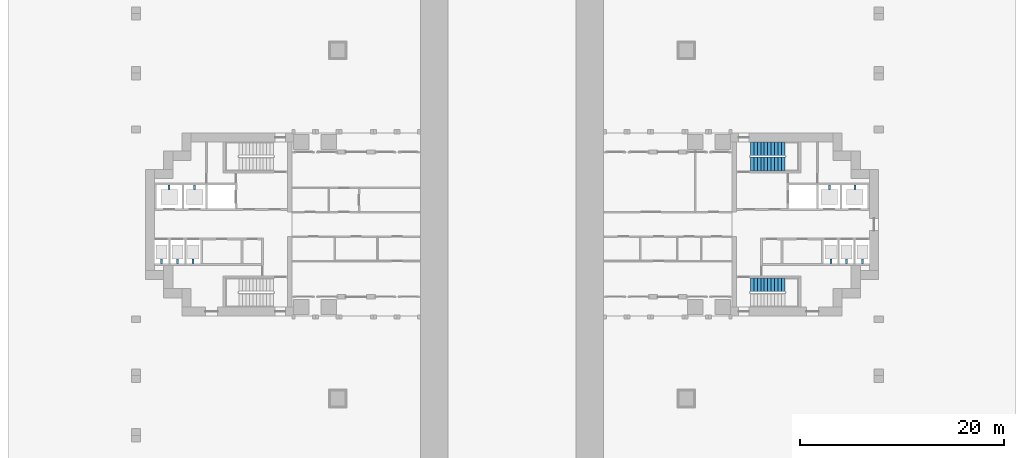
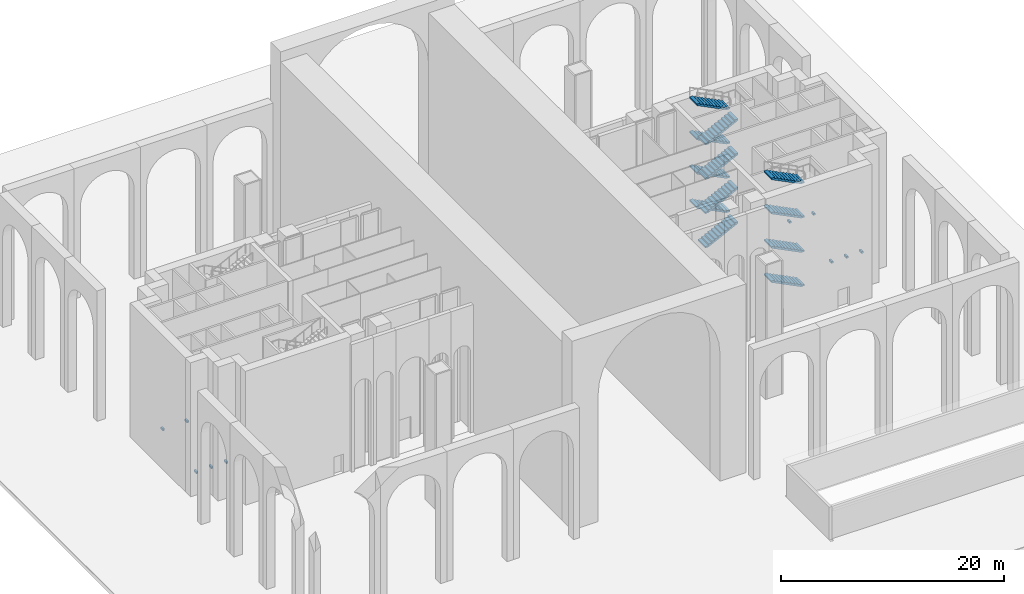
# One storey, part 11 of 18: 12 stair flights, 10 discrete accessories, 2 elements without a shape of their own.
"""IFC4 building model written with IfcOpenShell, lengths in metres."""

from ifc_helpers import new_model, si_unit, direction, frame, origin, origin_2d, place, context, subcontext, project, spatial, polyline, rectangle, outline, extrude, material, type_object, element, aggregate, save


model = new_model("IFC4")

# Units and contexts
model_context = context("Model", 3, precision=1e-05, world=origin(), true_north=direction((0.0, 1.0)))
body_context = subcontext(model_context, "Body", "Model", "MODEL_VIEW")
ifc_project = project(units=[si_unit("LENGTHUNIT", "METRE"), si_unit("AREAUNIT", "SQUARE_METRE"), si_unit("VOLUMEUNIT", "CUBIC_METRE"), si_unit("PLANEANGLEUNIT", "RADIAN"), si_unit("MASSUNIT", "GRAM", prefix="KILO")], contexts=[model_context])

# Site, building, storey
site_placement = place(None, origin())
site = spatial("IfcSite", under=ifc_project, at=site_placement, CompositionType="ELEMENT")
building_placement = place(site_placement, origin())
building = spatial("IfcBuilding", under=site, at=building_placement, Name="Perihelion Cross Residences", CompositionType="ELEMENT")
storey_placement = place(building_placement, origin())
storey = spatial("IfcBuildingStorey", under=building, at=storey_placement, Name="L00", CompositionType="ELEMENT", Elevation=0.0)

# Stair, stair flights
ifc_material_1 = material(Name="Concrete C40/50", Category="concrete")
stair_type = type_object("IfcStairType", Name="Exit stair, half-turn", PredefinedType="HALF_TURN_STAIR", material=ifc_material_1)
stair_1_placement = place(storey_placement, origin())
stair_1 = element("IfcStair", 1, at=stair_1_placement, inside=storey, type_object=stair_type, Name="L00 East core exit stair 1", PredefinedType="HALF_TURN_STAIR")
ifc_material_2 = material(Name="Concrete C40/50", Category="concrete")
stair_flight_type = type_object("IfcStairFlightType", Name="Exit stair flight", PredefinedType="STRAIGHT", material=ifc_material_2)
stair_flight_1_placement = place(storey_placement, frame((23.39990234375, 5.925048828125, 0.0), z_axis=(0.0, 0.0, 1.0), x_axis=(1.0, 0.0, 0.0)))
stair_flight_1 = element("IfcStairFlight", 2, at=stair_flight_1_placement, type_object=stair_flight_type, Name="ST-E1 flight 1", NumberOfRisers=11, NumberOfTreads=10, PredefinedType="STRAIGHT", RiserHeight=0.170454545, TreadLength=0.34, context=body_context, shape_type="SweptSolid", body=[
    extrude(outline(polyline([(0.0, 0.0), (0.0, 0.17041015625), (0.340087890625, 0.17041015625), (0.340087890625, 0.3408203125), (0.679931640625, 0.3408203125), (0.679931640625, 0.511474609375), (1.02001953125, 0.511474609375), (1.02001953125, 0.681884765625), (1.360107421875, 0.681884765625), (1.360107421875, 0.852294921875), (1.699951171875, 0.852294921875), (1.699951171875, 1.022705078125), (2.0400390625, 1.022705078125), (2.0400390625, 1.193115234375), (2.3798828125, 1.193115234375), (2.3798828125, 1.363525390625), (2.719970703125, 1.363525390625), (2.719970703125, 1.5341796875), (3.06005859375, 1.5341796875), (3.06005859375, 1.70458984375), (3.39990234375, 1.70458984375), (3.39990234375, 1.875), (3.39990234375, 1.536865234375), (0.33447265625, 0.0), (0.0, 0.0)])), frame((0.0, 0.675048828125, 0.0), z_axis=(0.0, -1.0, 0.0), x_axis=(1.0, 0.0, 0.0)), (0.0, 0.0, 1.0), 1.35009765625),
])
stair_flight_2_placement = place(storey_placement, frame((26.800048828125, 7.425048828125, 1.875), z_axis=(0.0, 0.0, 1.0), x_axis=(-1.0, 0.0, 0.0)))
stair_flight_2 = element("IfcStairFlight", 3, at=stair_flight_2_placement, type_object=stair_flight_type, Name="ST-E1 flight 2", NumberOfRisers=11, NumberOfTreads=10, PredefinedType="STRAIGHT", RiserHeight=0.170454545, TreadLength=0.34, context=body_context, shape_type="SweptSolid", body=[
    extrude(outline(polyline([(0.0, 0.0), (0.0, 0.17041015625), (0.340087890625, 0.17041015625), (0.340087890625, 0.3408203125), (0.679931640625, 0.3408203125), (0.679931640625, 0.511474609375), (1.02001953125, 0.511474609375), (1.02001953125, 0.681884765625), (1.360107421875, 0.681884765625), (1.360107421875, 0.852294921875), (1.699951171875, 0.852294921875), (1.699951171875, 1.022705078125), (2.0400390625, 1.022705078125), (2.0400390625, 1.193115234375), (2.3798828125, 1.193115234375), (2.3798828125, 1.363525390625), (2.719970703125, 1.363525390625), (2.719970703125, 1.5341796875), (3.06005859375, 1.5341796875), (3.06005859375, 1.70458984375), (3.39990234375, 1.70458984375), (3.39990234375, 1.875), (3.39990234375, 1.536865234375), (0.33447265625, 0.0), (0.0, 0.0)])), frame((0.0, 0.675048828125, 0.0), z_axis=(0.0, -1.0, 0.0), x_axis=(1.0, 0.0, 0.0)), (0.0, 0.0, 1.0), 1.35009765625),
])
stair_flight_3_placement = place(storey_placement, frame((23.39990234375, 5.925048828125, 3.75), z_axis=(0.0, 0.0, 1.0), x_axis=(1.0, 0.0, 0.0)))
stair_flight_3 = element("IfcStairFlight", 4, at=stair_flight_3_placement, type_object=stair_flight_type, Name="ST-E1 flight 3", NumberOfRisers=11, NumberOfTreads=10, PredefinedType="STRAIGHT", RiserHeight=0.170454545, TreadLength=0.34, context=body_context, shape_type="SweptSolid", body=[
    extrude(outline(polyline([(0.0, 0.0), (0.0, 0.17041015625), (0.340087890625, 0.17041015625), (0.340087890625, 0.3408203125), (0.679931640625, 0.3408203125), (0.679931640625, 0.511474609375), (1.02001953125, 0.511474609375), (1.02001953125, 0.681884765625), (1.360107421875, 0.681884765625), (1.360107421875, 0.852294921875), (1.699951171875, 0.852294921875), (1.699951171875, 1.022705078125), (2.0400390625, 1.022705078125), (2.0400390625, 1.193115234375), (2.3798828125, 1.193115234375), (2.3798828125, 1.363525390625), (2.719970703125, 1.363525390625), (2.719970703125, 1.5341796875), (3.06005859375, 1.5341796875), (3.06005859375, 1.70458984375), (3.39990234375, 1.70458984375), (3.39990234375, 1.875), (3.39990234375, 1.536865234375), (0.33447265625, 0.0), (0.0, 0.0)])), frame((0.0, 0.675048828125, 0.0), z_axis=(0.0, -1.0, 0.0), x_axis=(1.0, 0.0, 0.0)), (0.0, 0.0, 1.0), 1.35009765625),
])
stair_flight_4_placement = place(storey_placement, frame((26.800048828125, 7.425048828125, 5.625), z_axis=(0.0, 0.0, 1.0), x_axis=(-1.0, 0.0, 0.0)))
stair_flight_4 = element("IfcStairFlight", 5, at=stair_flight_4_placement, type_object=stair_flight_type, Name="ST-E1 flight 4", NumberOfRisers=11, NumberOfTreads=10, PredefinedType="STRAIGHT", RiserHeight=0.170454545, TreadLength=0.34, context=body_context, shape_type="SweptSolid", body=[
    extrude(outline(polyline([(0.0, 0.0), (0.0, 0.17041015625), (0.340087890625, 0.17041015625), (0.340087890625, 0.3408203125), (0.679931640625, 0.3408203125), (0.679931640625, 0.511474609375), (1.02001953125, 0.511474609375), (1.02001953125, 0.681884765625), (1.360107421875, 0.681884765625), (1.360107421875, 0.852294921875), (1.699951171875, 0.852294921875), (1.699951171875, 1.022705078125), (2.0400390625, 1.022705078125), (2.0400390625, 1.193115234375), (2.3798828125, 1.193115234375), (2.3798828125, 1.363525390625), (2.719970703125, 1.363525390625), (2.719970703125, 1.5341796875), (3.06005859375, 1.5341796875), (3.06005859375, 1.70458984375), (3.39990234375, 1.70458984375), (3.39990234375, 1.875), (3.39990234375, 1.536865234375), (0.33447265625, 0.0), (0.0, 0.0)])), frame((0.0, 0.675048828125, 0.0), z_axis=(0.0, -1.0, 0.0), x_axis=(1.0, 0.0, 0.0)), (0.0, 0.0, 1.0), 1.35009765625),
])
stair_flight_5_placement = place(storey_placement, frame((23.39990234375, 5.925048828125, 7.5), z_axis=(0.0, 0.0, 1.0), x_axis=(1.0, 0.0, 0.0)))
stair_flight_5 = element("IfcStairFlight", 6, at=stair_flight_5_placement, type_object=stair_flight_type, Name="ST-E1 flight 5", NumberOfRisers=11, NumberOfTreads=10, PredefinedType="STRAIGHT", RiserHeight=0.170454545, TreadLength=0.34, context=body_context, shape_type="SweptSolid", body=[
    extrude(outline(polyline([(0.0, 0.0), (0.0, 0.17041015625), (0.340087890625, 0.17041015625), (0.340087890625, 0.3408203125), (0.679931640625, 0.3408203125), (0.679931640625, 0.511474609375), (1.02001953125, 0.511474609375), (1.02001953125, 0.681884765625), (1.360107421875, 0.681884765625), (1.360107421875, 0.852294921875), (1.699951171875, 0.852294921875), (1.699951171875, 1.022705078125), (2.0400390625, 1.022705078125), (2.0400390625, 1.193115234375), (2.3798828125, 1.193115234375), (2.3798828125, 1.363525390625), (2.719970703125, 1.363525390625), (2.719970703125, 1.5341796875), (3.06005859375, 1.5341796875), (3.06005859375, 1.70458984375), (3.39990234375, 1.70458984375), (3.39990234375, 1.875), (3.39990234375, 1.536865234375), (0.33447265625, 0.0), (0.0, 0.0)])), frame((0.0, 0.675048828125, 0.0), z_axis=(0.0, -1.0, 0.0), x_axis=(1.0, 0.0, 0.0)), (0.0, 0.0, 1.0), 1.35009765625),
])
stair_flight_6_placement = place(storey_placement, frame((26.800048828125, 7.425048828125, 9.375), z_axis=(0.0, 0.0, 1.0), x_axis=(-1.0, 0.0, 0.0)))
stair_flight_6 = element("IfcStairFlight", 7, at=stair_flight_6_placement, type_object=stair_flight_type, Name="ST-E1 flight 6", NumberOfRisers=11, NumberOfTreads=10, PredefinedType="STRAIGHT", RiserHeight=0.170454545, TreadLength=0.34, context=body_context, shape_type="SweptSolid", body=[
    extrude(outline(polyline([(0.0, 0.0), (0.0, 0.17041015625), (0.340087890625, 0.17041015625), (0.340087890625, 0.3408203125), (0.679931640625, 0.3408203125), (0.679931640625, 0.511474609375), (1.02001953125, 0.511474609375), (1.02001953125, 0.681884765625), (1.360107421875, 0.681884765625), (1.360107421875, 0.852294921875), (1.699951171875, 0.852294921875), (1.699951171875, 1.022705078125), (2.0400390625, 1.022705078125), (2.0400390625, 1.193115234375), (2.3798828125, 1.193115234375), (2.3798828125, 1.363525390625), (2.719970703125, 1.363525390625), (2.719970703125, 1.5341796875), (3.06005859375, 1.5341796875), (3.06005859375, 1.70458984375), (3.39990234375, 1.70458984375), (3.39990234375, 1.875), (3.39990234375, 1.536865234375), (0.33447265625, 0.0), (0.0, 0.0)])), frame((0.0, 0.675048828125, 0.0), z_axis=(0.0, -1.0, 0.0), x_axis=(1.0, 0.0, 0.0)), (0.0, 0.0, 1.0), 1.35009765625),
])
stair_flight_7_placement = place(storey_placement, frame((23.39990234375, 5.925048828125, 11.25), z_axis=(0.0, 0.0, 1.0), x_axis=(1.0, 0.0, 0.0)))
stair_flight_7 = element("IfcStairFlight", 8, at=stair_flight_7_placement, type_object=stair_flight_type, Name="ST-E1 flight 7", NumberOfRisers=11, NumberOfTreads=10, PredefinedType="STRAIGHT", RiserHeight=0.170454545, TreadLength=0.34, context=body_context, shape_type="SweptSolid", body=[
    extrude(outline(polyline([(0.0, 0.0), (0.0, 0.17041015625), (0.340087890625, 0.17041015625), (0.340087890625, 0.3408203125), (0.679931640625, 0.3408203125), (0.679931640625, 0.511474609375), (1.02001953125, 0.511474609375), (1.02001953125, 0.681884765625), (1.360107421875, 0.681884765625), (1.360107421875, 0.852294921875), (1.699951171875, 0.852294921875), (1.699951171875, 1.022705078125), (2.0400390625, 1.022705078125), (2.0400390625, 1.193115234375), (2.3798828125, 1.193115234375), (2.3798828125, 1.363525390625), (2.719970703125, 1.363525390625), (2.719970703125, 1.5341796875), (3.06005859375, 1.5341796875), (3.06005859375, 1.70458984375), (3.39990234375, 1.70458984375), (3.39990234375, 1.875), (3.39990234375, 1.536865234375), (0.33447265625, 0.0), (0.0, 0.0)])), frame((0.0, 0.675048828125, 0.0), z_axis=(0.0, -1.0, 0.0), x_axis=(1.0, 0.0, 0.0)), (0.0, 0.0, 1.0), 1.35009765625),
])
stair_flight_8_placement = place(storey_placement, frame((26.800048828125, 7.425048828125, 13.125), z_axis=(0.0, 0.0, 1.0), x_axis=(-1.0, 0.0, 0.0)))
stair_flight_8 = element("IfcStairFlight", 9, at=stair_flight_8_placement, type_object=stair_flight_type, Name="ST-E1 flight 8", NumberOfRisers=11, NumberOfTreads=10, PredefinedType="STRAIGHT", RiserHeight=0.170454545, TreadLength=0.34, context=body_context, shape_type="SweptSolid", body=[
    extrude(outline(polyline([(0.0, 0.0), (0.0, 0.17041015625), (0.340087890625, 0.17041015625), (0.340087890625, 0.3408203125), (0.679931640625, 0.3408203125), (0.679931640625, 0.511474609375), (1.02001953125, 0.511474609375), (1.02001953125, 0.681884765625), (1.360107421875, 0.681884765625), (1.360107421875, 0.852294921875), (1.699951171875, 0.852294921875), (1.699951171875, 1.022705078125), (2.0400390625, 1.022705078125), (2.0400390625, 1.193115234375), (2.3798828125, 1.193115234375), (2.3798828125, 1.363525390625), (2.719970703125, 1.363525390625), (2.719970703125, 1.5341796875), (3.06005859375, 1.5341796875), (3.06005859375, 1.70458984375), (3.39990234375, 1.70458984375), (3.39990234375, 1.875), (3.39990234375, 1.536865234375), (0.33447265625, 0.0), (0.0, 0.0)])), frame((0.0, 0.675048828125, 0.0), z_axis=(0.0, -1.0, 0.0), x_axis=(1.0, 0.0, 0.0)), (0.0, 0.0, 1.0), 1.35009765625),
])
aggregate(stair_1, [stair_flight_1, stair_flight_2, stair_flight_3, stair_flight_4, stair_flight_5, stair_flight_6, stair_flight_7, stair_flight_8])

stair_2_placement = place(storey_placement, origin())
stair_2 = element("IfcStair", 10, at=stair_2_placement, inside=storey, type_object=stair_type, Name="L00 East core exit stair 2", PredefinedType="HALF_TURN_STAIR")
stair_flight_9_placement = place(storey_placement, frame((26.800048828125, -5.925048828125, 1.875), z_axis=(0.0, 0.0, 1.0), x_axis=(-1.0, 0.0, 0.0)))
stair_flight_9 = element("IfcStairFlight", 11, at=stair_flight_9_placement, type_object=stair_flight_type, Name="ST-E2 flight 2", NumberOfRisers=11, NumberOfTreads=10, PredefinedType="STRAIGHT", RiserHeight=0.170454545, TreadLength=0.34, context=body_context, shape_type="SweptSolid", body=[
    extrude(outline(polyline([(0.0, 0.0), (0.0, 0.17041015625), (0.340087890625, 0.17041015625), (0.340087890625, 0.3408203125), (0.679931640625, 0.3408203125), (0.679931640625, 0.511474609375), (1.02001953125, 0.511474609375), (1.02001953125, 0.681884765625), (1.360107421875, 0.681884765625), (1.360107421875, 0.852294921875), (1.699951171875, 0.852294921875), (1.699951171875, 1.022705078125), (2.0400390625, 1.022705078125), (2.0400390625, 1.193115234375), (2.3798828125, 1.193115234375), (2.3798828125, 1.363525390625), (2.719970703125, 1.363525390625), (2.719970703125, 1.5341796875), (3.06005859375, 1.5341796875), (3.06005859375, 1.70458984375), (3.39990234375, 1.70458984375), (3.39990234375, 1.875), (3.39990234375, 1.536865234375), (0.33447265625, 0.0), (0.0, 0.0)])), frame((0.0, 0.675048828125, 0.0), z_axis=(0.0, -1.0, 0.0), x_axis=(1.0, 0.0, 0.0)), (0.0, 0.0, 1.0), 1.35009765625),
])
stair_flight_10_placement = place(storey_placement, frame((26.800048828125, -5.925048828125, 5.625), z_axis=(0.0, 0.0, 1.0), x_axis=(-1.0, 0.0, 0.0)))
stair_flight_10 = element("IfcStairFlight", 12, at=stair_flight_10_placement, type_object=stair_flight_type, Name="ST-E2 flight 4", NumberOfRisers=11, NumberOfTreads=10, PredefinedType="STRAIGHT", RiserHeight=0.170454545, TreadLength=0.34, context=body_context, shape_type="SweptSolid", body=[
    extrude(outline(polyline([(0.0, 0.0), (0.0, 0.17041015625), (0.340087890625, 0.17041015625), (0.340087890625, 0.3408203125), (0.679931640625, 0.3408203125), (0.679931640625, 0.511474609375), (1.02001953125, 0.511474609375), (1.02001953125, 0.681884765625), (1.360107421875, 0.681884765625), (1.360107421875, 0.852294921875), (1.699951171875, 0.852294921875), (1.699951171875, 1.022705078125), (2.0400390625, 1.022705078125), (2.0400390625, 1.193115234375), (2.3798828125, 1.193115234375), (2.3798828125, 1.363525390625), (2.719970703125, 1.363525390625), (2.719970703125, 1.5341796875), (3.06005859375, 1.5341796875), (3.06005859375, 1.70458984375), (3.39990234375, 1.70458984375), (3.39990234375, 1.875), (3.39990234375, 1.536865234375), (0.33447265625, 0.0), (0.0, 0.0)])), frame((0.0, 0.675048828125, 0.0), z_axis=(0.0, -1.0, 0.0), x_axis=(1.0, 0.0, 0.0)), (0.0, 0.0, 1.0), 1.35009765625),
])
stair_flight_11_placement = place(storey_placement, frame((26.800048828125, -5.925048828125, 9.375), z_axis=(0.0, 0.0, 1.0), x_axis=(-1.0, 0.0, 0.0)))
stair_flight_11 = element("IfcStairFlight", 13, at=stair_flight_11_placement, type_object=stair_flight_type, Name="ST-E2 flight 6", NumberOfRisers=11, NumberOfTreads=10, PredefinedType="STRAIGHT", RiserHeight=0.170454545, TreadLength=0.34, context=body_context, shape_type="SweptSolid", body=[
    extrude(outline(polyline([(0.0, 0.0), (0.0, 0.17041015625), (0.340087890625, 0.17041015625), (0.340087890625, 0.3408203125), (0.679931640625, 0.3408203125), (0.679931640625, 0.511474609375), (1.02001953125, 0.511474609375), (1.02001953125, 0.681884765625), (1.360107421875, 0.681884765625), (1.360107421875, 0.852294921875), (1.699951171875, 0.852294921875), (1.699951171875, 1.022705078125), (2.0400390625, 1.022705078125), (2.0400390625, 1.193115234375), (2.3798828125, 1.193115234375), (2.3798828125, 1.363525390625), (2.719970703125, 1.363525390625), (2.719970703125, 1.5341796875), (3.06005859375, 1.5341796875), (3.06005859375, 1.70458984375), (3.39990234375, 1.70458984375), (3.39990234375, 1.875), (3.39990234375, 1.536865234375), (0.33447265625, 0.0), (0.0, 0.0)])), frame((0.0, 0.675048828125, 0.0), z_axis=(0.0, -1.0, 0.0), x_axis=(1.0, 0.0, 0.0)), (0.0, 0.0, 1.0), 1.35009765625),
])
stair_flight_12_placement = place(storey_placement, frame((26.800048828125, -5.925048828125, 13.125), z_axis=(0.0, 0.0, 1.0), x_axis=(-1.0, 0.0, 0.0)))
stair_flight_12 = element("IfcStairFlight", 14, at=stair_flight_12_placement, type_object=stair_flight_type, Name="ST-E2 flight 8", NumberOfRisers=11, NumberOfTreads=10, PredefinedType="STRAIGHT", RiserHeight=0.170454545, TreadLength=0.34, context=body_context, shape_type="SweptSolid", body=[
    extrude(outline(polyline([(0.0, 0.0), (0.0, 0.17041015625), (0.340087890625, 0.17041015625), (0.340087890625, 0.3408203125), (0.679931640625, 0.3408203125), (0.679931640625, 0.511474609375), (1.02001953125, 0.511474609375), (1.02001953125, 0.681884765625), (1.360107421875, 0.681884765625), (1.360107421875, 0.852294921875), (1.699951171875, 0.852294921875), (1.699951171875, 1.022705078125), (2.0400390625, 1.022705078125), (2.0400390625, 1.193115234375), (2.3798828125, 1.193115234375), (2.3798828125, 1.363525390625), (2.719970703125, 1.363525390625), (2.719970703125, 1.5341796875), (3.06005859375, 1.5341796875), (3.06005859375, 1.70458984375), (3.39990234375, 1.70458984375), (3.39990234375, 1.875), (3.39990234375, 1.536865234375), (0.33447265625, 0.0), (0.0, 0.0)])), frame((0.0, 0.675048828125, 0.0), z_axis=(0.0, -1.0, 0.0), x_axis=(1.0, 0.0, 0.0)), (0.0, 0.0, 1.0), 1.35009765625),
])
aggregate(stair_2, [stair_flight_9, stair_flight_10, stair_flight_11, stair_flight_12])

# Discrete accessories
ifc_material_3 = material(Name="Steel, powder coated", Category="steel")
discrete_accessory_type = type_object("IfcDiscreteAccessoryType", Name="Lift guide bracket", PredefinedType="BRACKET", material=ifc_material_3)
for number, where, z_axis, x_axis, name in (
    (15, (31.300048828125, -3.625, 1.10009765625), (0.0, 0.0, 1.0), (1.0, 0.0, 0.0), "East core lp1 guide bracket"),
    (16, (32.85009765625, -3.625, 1.10009765625), (0.0, 0.0, 1.0), (1.0, 0.0, 0.0), "East core lp2 guide bracket"),
    (17, (34.39990234375, -3.625, 1.10009765625), (0.0, 0.0, 1.0), (1.0, 0.0, 0.0), "East core lp3 guide bracket"),
):
    element("IfcDiscreteAccessory", number, at=place(storey_placement, frame(where, z_axis=z_axis, x_axis=x_axis)), inside=storey, type_object=discrete_accessory_type, Name=name, PredefinedType="BRACKET", context=body_context, shape_type="SweptSolid", body=[
        extrude(rectangle(XDim=0.199951171875, YDim=0.449951171875, at=origin_2d()), origin(), (0.0, 0.0, 1.0), 0.199951171875),
    ])
for number, where, z_axis, x_axis, name in (
    (18, (31.14990234375, 3.64990234375, 1.10009765625), (0.0, 0.0, 1.0), (1.0, 0.0, 0.0), "East core sh1 guide bracket"),
    (19, (33.64990234375, 3.64990234375, 1.10009765625), (0.0, 0.0, 1.0), (1.0, 0.0, 0.0), "East core sh2 guide bracket"),
):
    element("IfcDiscreteAccessory", number, at=place(storey_placement, frame(where, z_axis=z_axis, x_axis=x_axis)), inside=storey, type_object=discrete_accessory_type, Name=name, PredefinedType="BRACKET", context=body_context, shape_type="SweptSolid", body=[
        extrude(rectangle(XDim=0.199951171875, YDim=0.39990234375, at=origin_2d()), origin(), (0.0, 0.0, 1.0), 0.199951171875),
    ])
for number, where, z_axis, x_axis, name in (
    (20, (-31.300048828125, -3.625, 1.10009765625), (0.0, 0.0, 1.0), (1.0, 0.0, 0.0), "West core lp1 guide bracket"),
    (21, (-32.85009765625, -3.625, 1.10009765625), (0.0, 0.0, 1.0), (1.0, 0.0, 0.0), "West core lp2 guide bracket"),
    (22, (-34.39990234375, -3.625, 1.10009765625), (0.0, 0.0, 1.0), (1.0, 0.0, 0.0), "West core lp3 guide bracket"),
):
    element("IfcDiscreteAccessory", number, at=place(storey_placement, frame(where, z_axis=z_axis, x_axis=x_axis)), inside=storey, type_object=discrete_accessory_type, Name=name, PredefinedType="BRACKET", context=body_context, shape_type="SweptSolid", body=[
        extrude(rectangle(XDim=0.199951171875, YDim=0.449951171875, at=origin_2d()), origin(), (0.0, 0.0, 1.0), 0.199951171875),
    ])
for number, where, z_axis, x_axis, name in (
    (23, (-31.14990234375, 3.64990234375, 1.10009765625), (0.0, 0.0, 1.0), (1.0, 0.0, 0.0), "West core sh1 guide bracket"),
    (24, (-33.64990234375, 3.64990234375, 1.10009765625), (0.0, 0.0, 1.0), (1.0, 0.0, 0.0), "West core sh2 guide bracket"),
):
    element("IfcDiscreteAccessory", number, at=place(storey_placement, frame(where, z_axis=z_axis, x_axis=x_axis)), inside=storey, type_object=discrete_accessory_type, Name=name, PredefinedType="BRACKET", context=body_context, shape_type="SweptSolid", body=[
        extrude(rectangle(XDim=0.199951171875, YDim=0.39990234375, at=origin_2d()), origin(), (0.0, 0.0, 1.0), 0.199951171875),
    ])

save(model, "model.ifc")
